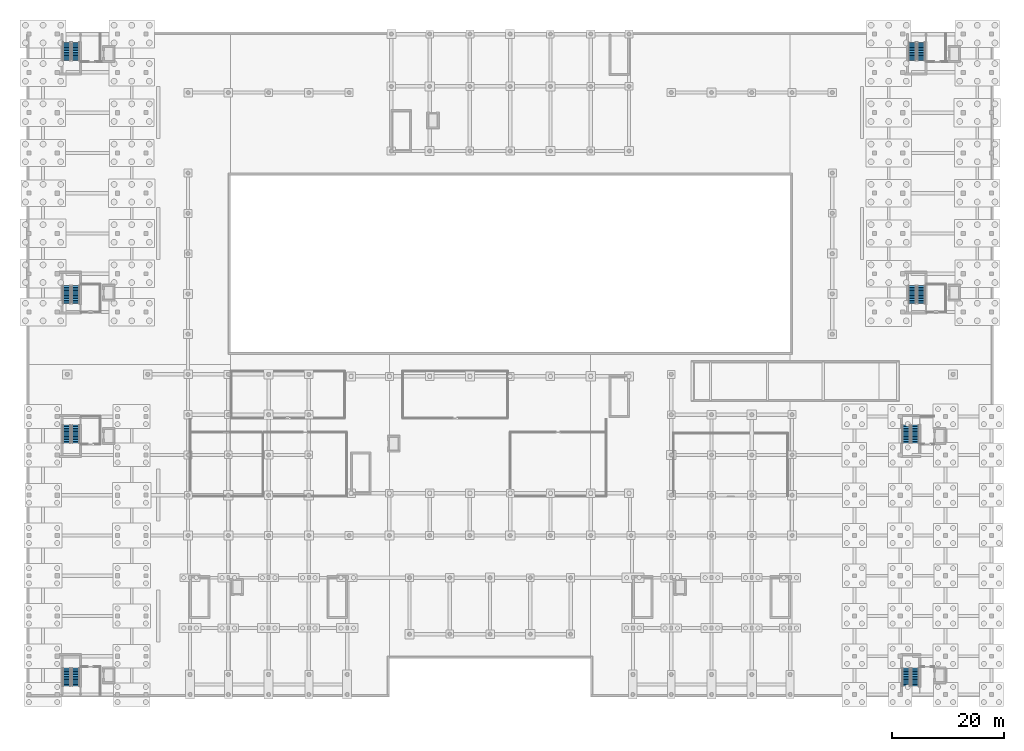
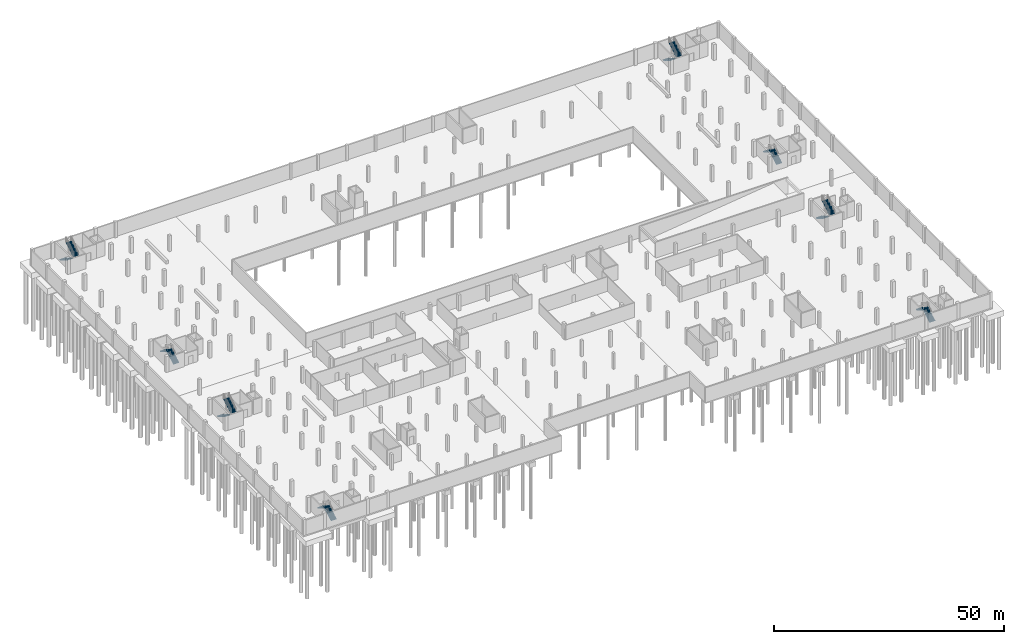
# One storey, part 29 of 36: 16 stair flights, 8 elements without a shape of their own.
"""IFC4 building model written with IfcOpenShell, lengths in metres."""

from ifc_helpers import new_model, si_unit, derived_unit, direction, frame, origin, place, context, subcontext, project, spatial, polyline, outline, extrude, material, type_object, element, aggregate, save


model = new_model("IFC4")

# Units and contexts
model_context = context("Model", 3, precision=1e-05, world=origin(), true_north=direction((0.0, 1.0)))
body_context = subcontext(model_context, "Body", "Model", "MODEL_VIEW")
ifc_project = project(units=[si_unit("LENGTHUNIT", "METRE"), si_unit("AREAUNIT", "SQUARE_METRE"), si_unit("VOLUMEUNIT", "CUBIC_METRE"), si_unit("PLANEANGLEUNIT", "RADIAN"), si_unit("MASSUNIT", "GRAM", prefix="KILO"), derived_unit("THERMALTRANSMITTANCEUNIT", [(si_unit("MASSUNIT", "GRAM", prefix="KILO"), 1), (si_unit("TIMEUNIT", "SECOND"), -3), (si_unit("THERMODYNAMICTEMPERATUREUNIT", "KELVIN"), -1)])], contexts=[model_context])

# Site, building, storey
site_placement = place(None, origin())
site = spatial("IfcSite", under=ifc_project, at=site_placement, CompositionType="ELEMENT")
building_placement = place(site_placement, origin())
building = spatial("IfcBuilding", under=site, at=building_placement, Name="Ochrekiln Boulevard Commons", CompositionType="ELEMENT")
storey_placement = place(building_placement, frame((0.0, 0.0, -4.199951171875)))
storey = spatial("IfcBuildingStorey", under=building, at=storey_placement, Name="B1", CompositionType="ELEMENT", Elevation=-4.199951171875)

# Stair, stair flights
ifc_material = material(Name="Concrete C35/45", Category="concrete")
stair_type = type_object("IfcStairType", Name="STR-DL-420", PredefinedType="TWO_STRAIGHT_RUN_STAIR", material=ifc_material)
stair_1_placement = place(storey_placement, origin())
stair_1 = element("IfcStair", 1, at=stair_1_placement, inside=storey, type_object=stair_type, Name="B1 Enclosed Exit Stair ST-A1", PredefinedType="TWO_STRAIGHT_RUN_STAIR")
stair_flight_type = type_object("IfcStairFlightType", Name="SFL-ST-420", PredefinedType="STRAIGHT", material=ifc_material)
stair_flight_1_placement = place(storey_placement, frame((8.699951171875, 70.27001953125, 0.0), z_axis=(0.0, 0.0, 1.0), x_axis=(0.0, 1.0, 0.0)))
stair_flight_1 = element("IfcStairFlight", 2, at=stair_flight_1_placement, type_object=stair_flight_type, Name="ST-A1 flight 1", NumberOfRisers=12, NumberOfTreads=11, PredefinedType="STRAIGHT", RiserHeight=0.175, TreadLength=0.29, context=body_context, shape_type="SweptSolid", body=[
    extrude(outline(polyline([(0.0, 0.0), (0.0, 0.175048828125), (0.2900390625, 0.175048828125), (0.2900390625, 0.35009765625), (0.580078125, 0.35009765625), (0.580078125, 0.52490234375), (0.8701171875, 0.52490234375), (0.8701171875, 0.699951171875), (1.159912109375, 0.699951171875), (1.159912109375, 0.875), (1.449951171875, 0.875), (1.449951171875, 1.050048828125), (1.739990234375, 1.050048828125), (1.739990234375, 1.22509765625), (2.030029296875, 1.22509765625), (2.030029296875, 1.39990234375), (2.320068359375, 1.39990234375), (2.320068359375, 1.574951171875), (2.610107421875, 1.574951171875), (2.610107421875, 1.75), (2.89990234375, 1.75), (2.89990234375, 1.925048828125), (3.18994140625, 1.925048828125), (3.18994140625, 2.10009765625), (3.18994140625, 1.73828125), (0.3095703125, 0.0), (0.0, 0.0)])), frame((0.0, 0.699951171875, 0.0), z_axis=(0.0, -1.0, 0.0), x_axis=(1.0, 0.0, 0.0)), (0.0, 0.0, 1.0), 1.39990234375),
])
stair_flight_2_placement = place(storey_placement, frame((7.10009765625, 73.4599609375, 2.099853515625), z_axis=(0.0, 0.0, 1.0), x_axis=(0.0, -1.0, 0.0)))
stair_flight_2 = element("IfcStairFlight", 3, at=stair_flight_2_placement, type_object=stair_flight_type, Name="ST-A1 flight 2", NumberOfRisers=12, NumberOfTreads=11, PredefinedType="STRAIGHT", RiserHeight=0.175, TreadLength=0.29, context=body_context, shape_type="SweptSolid", body=[
    extrude(outline(polyline([(0.0, 0.0), (0.0, 0.175048828125), (0.2900390625, 0.175048828125), (0.2900390625, 0.35009765625), (0.580078125, 0.35009765625), (0.580078125, 0.52490234375), (0.8701171875, 0.52490234375), (0.8701171875, 0.699951171875), (1.159912109375, 0.699951171875), (1.159912109375, 0.875), (1.449951171875, 0.875), (1.449951171875, 1.050048828125), (1.739990234375, 1.050048828125), (1.739990234375, 1.22509765625), (2.030029296875, 1.22509765625), (2.030029296875, 1.39990234375), (2.320068359375, 1.39990234375), (2.320068359375, 1.574951171875), (2.610107421875, 1.574951171875), (2.610107421875, 1.75), (2.89990234375, 1.75), (2.89990234375, 1.925048828125), (3.18994140625, 1.925048828125), (3.18994140625, 2.10009765625), (3.18994140625, 1.73828125), (0.3095703125, 0.0), (0.0, 0.0)])), frame((0.0, 0.699951171875, 0.0), z_axis=(0.0, -1.0, 0.0), x_axis=(1.0, 0.0, 0.0)), (0.0, 0.0, 1.0), 1.39990234375),
])
aggregate(stair_1, [stair_flight_1, stair_flight_2])

stair_2_placement = place(storey_placement, origin())
stair_2 = element("IfcStair", 4, at=stair_2_placement, inside=storey, type_object=stair_type, Name="B1 Enclosed Exit Stair ST-A2", PredefinedType="TWO_STRAIGHT_RUN_STAIR")
stair_flight_3_placement = place(storey_placement, frame((7.10009765625, 116.929931640625, 0.0), z_axis=(0.0, 0.0, 1.0), x_axis=(0.0, -1.0, 0.0)))
stair_flight_3 = element("IfcStairFlight", 5, at=stair_flight_3_placement, type_object=stair_flight_type, Name="ST-A2 flight 1", NumberOfRisers=12, NumberOfTreads=11, PredefinedType="STRAIGHT", RiserHeight=0.175, TreadLength=0.29, context=body_context, shape_type="SweptSolid", body=[
    extrude(outline(polyline([(0.0, 0.0), (0.0, 0.175048828125), (0.2900390625, 0.175048828125), (0.2900390625, 0.35009765625), (0.580078125, 0.35009765625), (0.580078125, 0.52490234375), (0.8701171875, 0.52490234375), (0.8701171875, 0.699951171875), (1.159912109375, 0.699951171875), (1.159912109375, 0.875), (1.449951171875, 0.875), (1.449951171875, 1.050048828125), (1.739990234375, 1.050048828125), (1.739990234375, 1.22509765625), (2.030029296875, 1.22509765625), (2.030029296875, 1.39990234375), (2.320068359375, 1.39990234375), (2.320068359375, 1.574951171875), (2.610107421875, 1.574951171875), (2.610107421875, 1.75), (2.89990234375, 1.75), (2.89990234375, 1.925048828125), (3.18994140625, 1.925048828125), (3.18994140625, 2.10009765625), (3.18994140625, 1.73828125), (0.3095703125, 0.0), (0.0, 0.0)])), frame((0.0, 0.699951171875, 0.0), z_axis=(0.0, -1.0, 0.0), x_axis=(1.0, 0.0, 0.0)), (0.0, 0.0, 1.0), 1.39990234375),
])
stair_flight_4_placement = place(storey_placement, frame((8.699951171875, 113.739990234375, 2.099853515625), z_axis=(0.0, 0.0, 1.0), x_axis=(0.0, 1.0, 0.0)))
stair_flight_4 = element("IfcStairFlight", 6, at=stair_flight_4_placement, type_object=stair_flight_type, Name="ST-A2 flight 2", NumberOfRisers=12, NumberOfTreads=11, PredefinedType="STRAIGHT", RiserHeight=0.175, TreadLength=0.29, context=body_context, shape_type="SweptSolid", body=[
    extrude(outline(polyline([(0.0, 0.0), (0.0, 0.175048828125), (0.2900390625, 0.175048828125), (0.2900390625, 0.35009765625), (0.580078125, 0.35009765625), (0.580078125, 0.52490234375), (0.8701171875, 0.52490234375), (0.8701171875, 0.699951171875), (1.159912109375, 0.699951171875), (1.159912109375, 0.875), (1.449951171875, 0.875), (1.449951171875, 1.050048828125), (1.739990234375, 1.050048828125), (1.739990234375, 1.22509765625), (2.030029296875, 1.22509765625), (2.030029296875, 1.39990234375), (2.320068359375, 1.39990234375), (2.320068359375, 1.574951171875), (2.610107421875, 1.574951171875), (2.610107421875, 1.75), (2.89990234375, 1.75), (2.89990234375, 1.925048828125), (3.18994140625, 1.925048828125), (3.18994140625, 2.10009765625), (3.18994140625, 1.73828125), (0.3095703125, 0.0), (0.0, 0.0)])), frame((0.0, 0.699951171875, 0.0), z_axis=(0.0, -1.0, 0.0), x_axis=(1.0, 0.0, 0.0)), (0.0, 0.0, 1.0), 1.39990234375),
])
aggregate(stair_2, [stair_flight_3, stair_flight_4])

stair_3_placement = place(storey_placement, origin())
stair_3 = element("IfcStair", 7, at=stair_3_placement, inside=storey, type_object=stair_type, Name="B1 Enclosed Exit Stair ST-B1", PredefinedType="TWO_STRAIGHT_RUN_STAIR")
stair_flight_5_placement = place(storey_placement, frame((159.89990234375, 70.27001953125, 0.0), z_axis=(0.0, 0.0, 1.0), x_axis=(0.0, 1.0, 0.0)))
stair_flight_5 = element("IfcStairFlight", 8, at=stair_flight_5_placement, type_object=stair_flight_type, Name="ST-B1 flight 1", NumberOfRisers=12, NumberOfTreads=11, PredefinedType="STRAIGHT", RiserHeight=0.175, TreadLength=0.29, context=body_context, shape_type="SweptSolid", body=[
    extrude(outline(polyline([(0.0, 0.0), (0.0, 0.175048828125), (0.2900390625, 0.175048828125), (0.2900390625, 0.35009765625), (0.580078125, 0.35009765625), (0.580078125, 0.52490234375), (0.8701171875, 0.52490234375), (0.8701171875, 0.699951171875), (1.159912109375, 0.699951171875), (1.159912109375, 0.875), (1.449951171875, 0.875), (1.449951171875, 1.050048828125), (1.739990234375, 1.050048828125), (1.739990234375, 1.22509765625), (2.030029296875, 1.22509765625), (2.030029296875, 1.39990234375), (2.320068359375, 1.39990234375), (2.320068359375, 1.574951171875), (2.610107421875, 1.574951171875), (2.610107421875, 1.75), (2.89990234375, 1.75), (2.89990234375, 1.925048828125), (3.18994140625, 1.925048828125), (3.18994140625, 2.10009765625), (3.18994140625, 1.73828125), (0.3095703125, 0.0), (0.0, 0.0)])), frame((0.0, 0.699951171875, 0.0), z_axis=(0.0, -1.0, 0.0), x_axis=(1.0, 0.0, 0.0)), (0.0, 0.0, 1.0), 1.39990234375),
])
stair_flight_6_placement = place(storey_placement, frame((158.300048828125, 73.4599609375, 2.099853515625), z_axis=(0.0, 0.0, 1.0), x_axis=(0.0, -1.0, 0.0)))
stair_flight_6 = element("IfcStairFlight", 9, at=stair_flight_6_placement, type_object=stair_flight_type, Name="ST-B1 flight 2", NumberOfRisers=12, NumberOfTreads=11, PredefinedType="STRAIGHT", RiserHeight=0.175, TreadLength=0.29, context=body_context, shape_type="SweptSolid", body=[
    extrude(outline(polyline([(0.0, 0.0), (0.0, 0.175048828125), (0.2900390625, 0.175048828125), (0.2900390625, 0.35009765625), (0.580078125, 0.35009765625), (0.580078125, 0.52490234375), (0.8701171875, 0.52490234375), (0.8701171875, 0.699951171875), (1.159912109375, 0.699951171875), (1.159912109375, 0.875), (1.449951171875, 0.875), (1.449951171875, 1.050048828125), (1.739990234375, 1.050048828125), (1.739990234375, 1.22509765625), (2.030029296875, 1.22509765625), (2.030029296875, 1.39990234375), (2.320068359375, 1.39990234375), (2.320068359375, 1.574951171875), (2.610107421875, 1.574951171875), (2.610107421875, 1.75), (2.89990234375, 1.75), (2.89990234375, 1.925048828125), (3.18994140625, 1.925048828125), (3.18994140625, 2.10009765625), (3.18994140625, 1.73828125), (0.3095703125, 0.0), (0.0, 0.0)])), frame((0.0, 0.699951171875, 0.0), z_axis=(0.0, -1.0, 0.0), x_axis=(1.0, 0.0, 0.0)), (0.0, 0.0, 1.0), 1.39990234375),
])
aggregate(stair_3, [stair_flight_5, stair_flight_6])

stair_4_placement = place(storey_placement, origin())
stair_4 = element("IfcStair", 10, at=stair_4_placement, inside=storey, type_object=stair_type, Name="B1 Enclosed Exit Stair ST-B2", PredefinedType="TWO_STRAIGHT_RUN_STAIR")
stair_flight_7_placement = place(storey_placement, frame((158.300048828125, 116.929931640625, 0.0), z_axis=(0.0, 0.0, 1.0), x_axis=(0.0, -1.0, 0.0)))
stair_flight_7 = element("IfcStairFlight", 11, at=stair_flight_7_placement, type_object=stair_flight_type, Name="ST-B2 flight 1", NumberOfRisers=12, NumberOfTreads=11, PredefinedType="STRAIGHT", RiserHeight=0.175, TreadLength=0.29, context=body_context, shape_type="SweptSolid", body=[
    extrude(outline(polyline([(0.0, 0.0), (0.0, 0.175048828125), (0.2900390625, 0.175048828125), (0.2900390625, 0.35009765625), (0.580078125, 0.35009765625), (0.580078125, 0.52490234375), (0.8701171875, 0.52490234375), (0.8701171875, 0.699951171875), (1.159912109375, 0.699951171875), (1.159912109375, 0.875), (1.449951171875, 0.875), (1.449951171875, 1.050048828125), (1.739990234375, 1.050048828125), (1.739990234375, 1.22509765625), (2.030029296875, 1.22509765625), (2.030029296875, 1.39990234375), (2.320068359375, 1.39990234375), (2.320068359375, 1.574951171875), (2.610107421875, 1.574951171875), (2.610107421875, 1.75), (2.89990234375, 1.75), (2.89990234375, 1.925048828125), (3.18994140625, 1.925048828125), (3.18994140625, 2.10009765625), (3.18994140625, 1.73828125), (0.3095703125, 0.0), (0.0, 0.0)])), frame((0.0, 0.699951171875, 0.0), z_axis=(0.0, -1.0, 0.0), x_axis=(1.0, 0.0, 0.0)), (0.0, 0.0, 1.0), 1.39990234375),
])
stair_flight_8_placement = place(storey_placement, frame((159.89990234375, 113.739990234375, 2.099853515625), z_axis=(0.0, 0.0, 1.0), x_axis=(0.0, 1.0, 0.0)))
stair_flight_8 = element("IfcStairFlight", 12, at=stair_flight_8_placement, type_object=stair_flight_type, Name="ST-B2 flight 2", NumberOfRisers=12, NumberOfTreads=11, PredefinedType="STRAIGHT", RiserHeight=0.175, TreadLength=0.29, context=body_context, shape_type="SweptSolid", body=[
    extrude(outline(polyline([(0.0, 0.0), (0.0, 0.175048828125), (0.2900390625, 0.175048828125), (0.2900390625, 0.35009765625), (0.580078125, 0.35009765625), (0.580078125, 0.52490234375), (0.8701171875, 0.52490234375), (0.8701171875, 0.699951171875), (1.159912109375, 0.699951171875), (1.159912109375, 0.875), (1.449951171875, 0.875), (1.449951171875, 1.050048828125), (1.739990234375, 1.050048828125), (1.739990234375, 1.22509765625), (2.030029296875, 1.22509765625), (2.030029296875, 1.39990234375), (2.320068359375, 1.39990234375), (2.320068359375, 1.574951171875), (2.610107421875, 1.574951171875), (2.610107421875, 1.75), (2.89990234375, 1.75), (2.89990234375, 1.925048828125), (3.18994140625, 1.925048828125), (3.18994140625, 2.10009765625), (3.18994140625, 1.73828125), (0.3095703125, 0.0), (0.0, 0.0)])), frame((0.0, 0.699951171875, 0.0), z_axis=(0.0, -1.0, 0.0), x_axis=(1.0, 0.0, 0.0)), (0.0, 0.0, 1.0), 1.39990234375),
])
aggregate(stair_4, [stair_flight_7, stair_flight_8])

stair_5_placement = place(storey_placement, origin())
stair_5 = element("IfcStair", 13, at=stair_5_placement, inside=storey, type_object=stair_type, Name="B1 Enclosed Exit Stair ST-C1", PredefinedType="TWO_STRAIGHT_RUN_STAIR")
stair_flight_9_placement = place(storey_placement, frame((158.800048828125, 1.8701171875, 0.0), z_axis=(0.0, 0.0, 1.0), x_axis=(0.0, 1.0, 0.0)))
stair_flight_9 = element("IfcStairFlight", 14, at=stair_flight_9_placement, type_object=stair_flight_type, Name="ST-C1 flight 1", NumberOfRisers=12, NumberOfTreads=11, PredefinedType="STRAIGHT", RiserHeight=0.175, TreadLength=0.29, context=body_context, shape_type="SweptSolid", body=[
    extrude(outline(polyline([(0.0, 0.0), (0.0, 0.175048828125), (0.2900390625, 0.175048828125), (0.2900390625, 0.35009765625), (0.580078125, 0.35009765625), (0.580078125, 0.52490234375), (0.8701171875, 0.52490234375), (0.8701171875, 0.699951171875), (1.159912109375, 0.699951171875), (1.159912109375, 0.875), (1.449951171875, 0.875), (1.449951171875, 1.050048828125), (1.739990234375, 1.050048828125), (1.739990234375, 1.22509765625), (2.030029296875, 1.22509765625), (2.030029296875, 1.39990234375), (2.320068359375, 1.39990234375), (2.320068359375, 1.574951171875), (2.610107421875, 1.574951171875), (2.610107421875, 1.75), (2.89990234375, 1.75), (2.89990234375, 1.925048828125), (3.18994140625, 1.925048828125), (3.18994140625, 2.10009765625), (3.18994140625, 1.73828125), (0.3095703125, 0.0), (0.0, 0.0)])), frame((0.0, 0.699951171875, 0.0), z_axis=(0.0, -1.0, 0.0), x_axis=(1.0, 0.0, 0.0)), (0.0, 0.0, 1.0), 1.39990234375),
])
stair_flight_10_placement = place(storey_placement, frame((157.199951171875, 5.06005859375, 2.099853515625), z_axis=(0.0, 0.0, 1.0), x_axis=(0.0, -1.0, 0.0)))
stair_flight_10 = element("IfcStairFlight", 15, at=stair_flight_10_placement, type_object=stair_flight_type, Name="ST-C1 flight 2", NumberOfRisers=12, NumberOfTreads=11, PredefinedType="STRAIGHT", RiserHeight=0.175, TreadLength=0.29, context=body_context, shape_type="SweptSolid", body=[
    extrude(outline(polyline([(0.0, 0.0), (0.0, 0.175048828125), (0.2900390625, 0.175048828125), (0.2900390625, 0.35009765625), (0.580078125, 0.35009765625), (0.580078125, 0.52490234375), (0.8701171875, 0.52490234375), (0.8701171875, 0.699951171875), (1.159912109375, 0.699951171875), (1.159912109375, 0.875), (1.449951171875, 0.875), (1.449951171875, 1.050048828125), (1.739990234375, 1.050048828125), (1.739990234375, 1.22509765625), (2.030029296875, 1.22509765625), (2.030029296875, 1.39990234375), (2.320068359375, 1.39990234375), (2.320068359375, 1.574951171875), (2.610107421875, 1.574951171875), (2.610107421875, 1.75), (2.89990234375, 1.75), (2.89990234375, 1.925048828125), (3.18994140625, 1.925048828125), (3.18994140625, 2.10009765625), (3.18994140625, 1.73828125), (0.3095703125, 0.0), (0.0, 0.0)])), frame((0.0, 0.699951171875, 0.0), z_axis=(0.0, -1.0, 0.0), x_axis=(1.0, 0.0, 0.0)), (0.0, 0.0, 1.0), 1.39990234375),
])
aggregate(stair_5, [stair_flight_9, stair_flight_10])

stair_6_placement = place(storey_placement, origin())
stair_6 = element("IfcStair", 16, at=stair_6_placement, inside=storey, type_object=stair_type, Name="B1 Enclosed Exit Stair ST-C2", PredefinedType="TWO_STRAIGHT_RUN_STAIR")
stair_flight_11_placement = place(storey_placement, frame((157.199951171875, 48.530029296875, 0.0), z_axis=(0.0, 0.0, 1.0), x_axis=(0.0, -1.0, 0.0)))
stair_flight_11 = element("IfcStairFlight", 17, at=stair_flight_11_placement, type_object=stair_flight_type, Name="ST-C2 flight 1", NumberOfRisers=12, NumberOfTreads=11, PredefinedType="STRAIGHT", RiserHeight=0.175, TreadLength=0.29, context=body_context, shape_type="SweptSolid", body=[
    extrude(outline(polyline([(0.0, 0.0), (0.0, 0.175048828125), (0.2900390625, 0.175048828125), (0.2900390625, 0.35009765625), (0.580078125, 0.35009765625), (0.580078125, 0.52490234375), (0.8701171875, 0.52490234375), (0.8701171875, 0.699951171875), (1.159912109375, 0.699951171875), (1.159912109375, 0.875), (1.449951171875, 0.875), (1.449951171875, 1.050048828125), (1.739990234375, 1.050048828125), (1.739990234375, 1.22509765625), (2.030029296875, 1.22509765625), (2.030029296875, 1.39990234375), (2.320068359375, 1.39990234375), (2.320068359375, 1.574951171875), (2.610107421875, 1.574951171875), (2.610107421875, 1.75), (2.89990234375, 1.75), (2.89990234375, 1.925048828125), (3.18994140625, 1.925048828125), (3.18994140625, 2.10009765625), (3.18994140625, 1.73828125), (0.3095703125, 0.0), (0.0, 0.0)])), frame((0.0, 0.699951171875, 0.0), z_axis=(0.0, -1.0, 0.0), x_axis=(1.0, 0.0, 0.0)), (0.0, 0.0, 1.0), 1.39990234375),
])
stair_flight_12_placement = place(storey_placement, frame((158.800048828125, 45.340087890625, 2.099853515625), z_axis=(0.0, 0.0, 1.0), x_axis=(0.0, 1.0, 0.0)))
stair_flight_12 = element("IfcStairFlight", 18, at=stair_flight_12_placement, type_object=stair_flight_type, Name="ST-C2 flight 2", NumberOfRisers=12, NumberOfTreads=11, PredefinedType="STRAIGHT", RiserHeight=0.175, TreadLength=0.29, context=body_context, shape_type="SweptSolid", body=[
    extrude(outline(polyline([(0.0, 0.0), (0.0, 0.175048828125), (0.2900390625, 0.175048828125), (0.2900390625, 0.35009765625), (0.580078125, 0.35009765625), (0.580078125, 0.52490234375), (0.8701171875, 0.52490234375), (0.8701171875, 0.699951171875), (1.159912109375, 0.699951171875), (1.159912109375, 0.875), (1.449951171875, 0.875), (1.449951171875, 1.050048828125), (1.739990234375, 1.050048828125), (1.739990234375, 1.22509765625), (2.030029296875, 1.22509765625), (2.030029296875, 1.39990234375), (2.320068359375, 1.39990234375), (2.320068359375, 1.574951171875), (2.610107421875, 1.574951171875), (2.610107421875, 1.75), (2.89990234375, 1.75), (2.89990234375, 1.925048828125), (3.18994140625, 1.925048828125), (3.18994140625, 2.10009765625), (3.18994140625, 1.73828125), (0.3095703125, 0.0), (0.0, 0.0)])), frame((0.0, 0.699951171875, 0.0), z_axis=(0.0, -1.0, 0.0), x_axis=(1.0, 0.0, 0.0)), (0.0, 0.0, 1.0), 1.39990234375),
])
aggregate(stair_6, [stair_flight_11, stair_flight_12])

stair_7_placement = place(storey_placement, origin())
stair_7 = element("IfcStair", 19, at=stair_7_placement, inside=storey, type_object=stair_type, Name="B1 Enclosed Exit Stair ST-D1", PredefinedType="TWO_STRAIGHT_RUN_STAIR")
stair_flight_13_placement = place(storey_placement, frame((8.699951171875, 1.8701171875, 0.0), z_axis=(0.0, 0.0, 1.0), x_axis=(0.0, 1.0, 0.0)))
stair_flight_13 = element("IfcStairFlight", 20, at=stair_flight_13_placement, type_object=stair_flight_type, Name="ST-D1 flight 1", NumberOfRisers=12, NumberOfTreads=11, PredefinedType="STRAIGHT", RiserHeight=0.175, TreadLength=0.29, context=body_context, shape_type="SweptSolid", body=[
    extrude(outline(polyline([(0.0, 0.0), (0.0, 0.175048828125), (0.2900390625, 0.175048828125), (0.2900390625, 0.35009765625), (0.580078125, 0.35009765625), (0.580078125, 0.52490234375), (0.8701171875, 0.52490234375), (0.8701171875, 0.699951171875), (1.159912109375, 0.699951171875), (1.159912109375, 0.875), (1.449951171875, 0.875), (1.449951171875, 1.050048828125), (1.739990234375, 1.050048828125), (1.739990234375, 1.22509765625), (2.030029296875, 1.22509765625), (2.030029296875, 1.39990234375), (2.320068359375, 1.39990234375), (2.320068359375, 1.574951171875), (2.610107421875, 1.574951171875), (2.610107421875, 1.75), (2.89990234375, 1.75), (2.89990234375, 1.925048828125), (3.18994140625, 1.925048828125), (3.18994140625, 2.10009765625), (3.18994140625, 1.73828125), (0.3095703125, 0.0), (0.0, 0.0)])), frame((0.0, 0.699951171875, 0.0), z_axis=(0.0, -1.0, 0.0), x_axis=(1.0, 0.0, 0.0)), (0.0, 0.0, 1.0), 1.39990234375),
])
stair_flight_14_placement = place(storey_placement, frame((7.10009765625, 5.06005859375, 2.099853515625), z_axis=(0.0, 0.0, 1.0), x_axis=(0.0, -1.0, 0.0)))
stair_flight_14 = element("IfcStairFlight", 21, at=stair_flight_14_placement, type_object=stair_flight_type, Name="ST-D1 flight 2", NumberOfRisers=12, NumberOfTreads=11, PredefinedType="STRAIGHT", RiserHeight=0.175, TreadLength=0.29, context=body_context, shape_type="SweptSolid", body=[
    extrude(outline(polyline([(0.0, 0.0), (0.0, 0.175048828125), (0.2900390625, 0.175048828125), (0.2900390625, 0.35009765625), (0.580078125, 0.35009765625), (0.580078125, 0.52490234375), (0.8701171875, 0.52490234375), (0.8701171875, 0.699951171875), (1.159912109375, 0.699951171875), (1.159912109375, 0.875), (1.449951171875, 0.875), (1.449951171875, 1.050048828125), (1.739990234375, 1.050048828125), (1.739990234375, 1.22509765625), (2.030029296875, 1.22509765625), (2.030029296875, 1.39990234375), (2.320068359375, 1.39990234375), (2.320068359375, 1.574951171875), (2.610107421875, 1.574951171875), (2.610107421875, 1.75), (2.89990234375, 1.75), (2.89990234375, 1.925048828125), (3.18994140625, 1.925048828125), (3.18994140625, 2.10009765625), (3.18994140625, 1.73828125), (0.3095703125, 0.0), (0.0, 0.0)])), frame((0.0, 0.699951171875, 0.0), z_axis=(0.0, -1.0, 0.0), x_axis=(1.0, 0.0, 0.0)), (0.0, 0.0, 1.0), 1.39990234375),
])
aggregate(stair_7, [stair_flight_13, stair_flight_14])

stair_8_placement = place(storey_placement, origin())
stair_8 = element("IfcStair", 22, at=stair_8_placement, inside=storey, type_object=stair_type, Name="B1 Enclosed Exit Stair ST-D2", PredefinedType="TWO_STRAIGHT_RUN_STAIR")
stair_flight_15_placement = place(storey_placement, frame((7.10009765625, 48.530029296875, 0.0), z_axis=(0.0, 0.0, 1.0), x_axis=(0.0, -1.0, 0.0)))
stair_flight_15 = element("IfcStairFlight", 23, at=stair_flight_15_placement, type_object=stair_flight_type, Name="ST-D2 flight 1", NumberOfRisers=12, NumberOfTreads=11, PredefinedType="STRAIGHT", RiserHeight=0.175, TreadLength=0.29, context=body_context, shape_type="SweptSolid", body=[
    extrude(outline(polyline([(0.0, 0.0), (0.0, 0.175048828125), (0.2900390625, 0.175048828125), (0.2900390625, 0.35009765625), (0.580078125, 0.35009765625), (0.580078125, 0.52490234375), (0.8701171875, 0.52490234375), (0.8701171875, 0.699951171875), (1.159912109375, 0.699951171875), (1.159912109375, 0.875), (1.449951171875, 0.875), (1.449951171875, 1.050048828125), (1.739990234375, 1.050048828125), (1.739990234375, 1.22509765625), (2.030029296875, 1.22509765625), (2.030029296875, 1.39990234375), (2.320068359375, 1.39990234375), (2.320068359375, 1.574951171875), (2.610107421875, 1.574951171875), (2.610107421875, 1.75), (2.89990234375, 1.75), (2.89990234375, 1.925048828125), (3.18994140625, 1.925048828125), (3.18994140625, 2.10009765625), (3.18994140625, 1.73828125), (0.3095703125, 0.0), (0.0, 0.0)])), frame((0.0, 0.699951171875, 0.0), z_axis=(0.0, -1.0, 0.0), x_axis=(1.0, 0.0, 0.0)), (0.0, 0.0, 1.0), 1.39990234375),
])
stair_flight_16_placement = place(storey_placement, frame((8.699951171875, 45.340087890625, 2.099853515625), z_axis=(0.0, 0.0, 1.0), x_axis=(0.0, 1.0, 0.0)))
stair_flight_16 = element("IfcStairFlight", 24, at=stair_flight_16_placement, type_object=stair_flight_type, Name="ST-D2 flight 2", NumberOfRisers=12, NumberOfTreads=11, PredefinedType="STRAIGHT", RiserHeight=0.175, TreadLength=0.29, context=body_context, shape_type="SweptSolid", body=[
    extrude(outline(polyline([(0.0, 0.0), (0.0, 0.175048828125), (0.2900390625, 0.175048828125), (0.2900390625, 0.35009765625), (0.580078125, 0.35009765625), (0.580078125, 0.52490234375), (0.8701171875, 0.52490234375), (0.8701171875, 0.699951171875), (1.159912109375, 0.699951171875), (1.159912109375, 0.875), (1.449951171875, 0.875), (1.449951171875, 1.050048828125), (1.739990234375, 1.050048828125), (1.739990234375, 1.22509765625), (2.030029296875, 1.22509765625), (2.030029296875, 1.39990234375), (2.320068359375, 1.39990234375), (2.320068359375, 1.574951171875), (2.610107421875, 1.574951171875), (2.610107421875, 1.75), (2.89990234375, 1.75), (2.89990234375, 1.925048828125), (3.18994140625, 1.925048828125), (3.18994140625, 2.10009765625), (3.18994140625, 1.73828125), (0.3095703125, 0.0), (0.0, 0.0)])), frame((0.0, 0.699951171875, 0.0), z_axis=(0.0, -1.0, 0.0), x_axis=(1.0, 0.0, 0.0)), (0.0, 0.0, 1.0), 1.39990234375),
])
aggregate(stair_8, [stair_flight_15, stair_flight_16])

save(model, "model.ifc")
